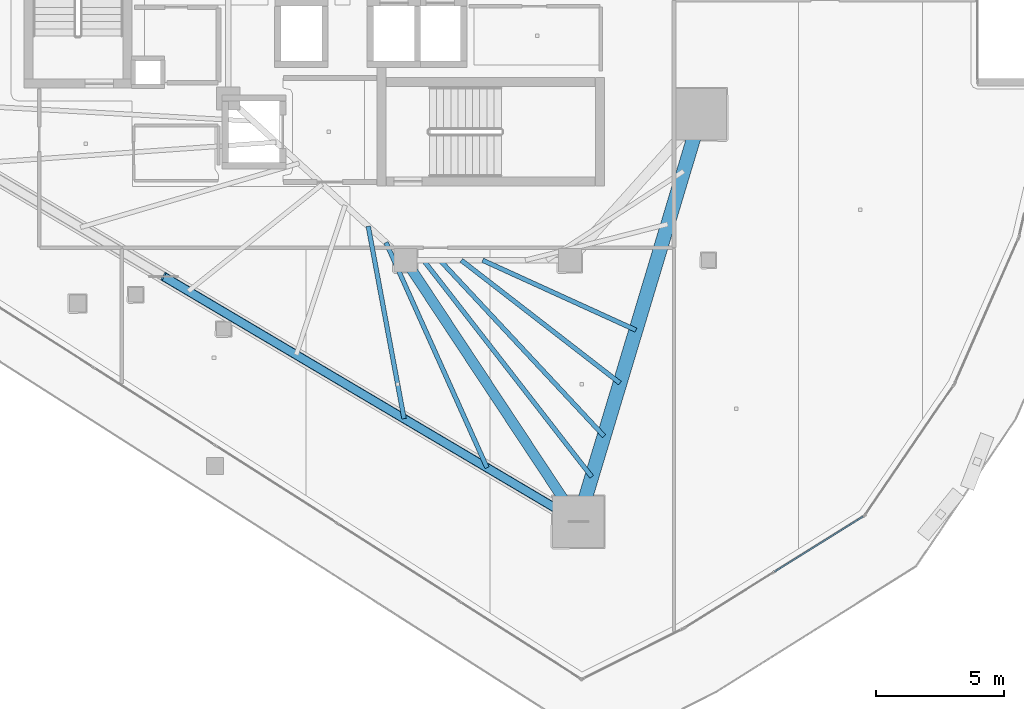
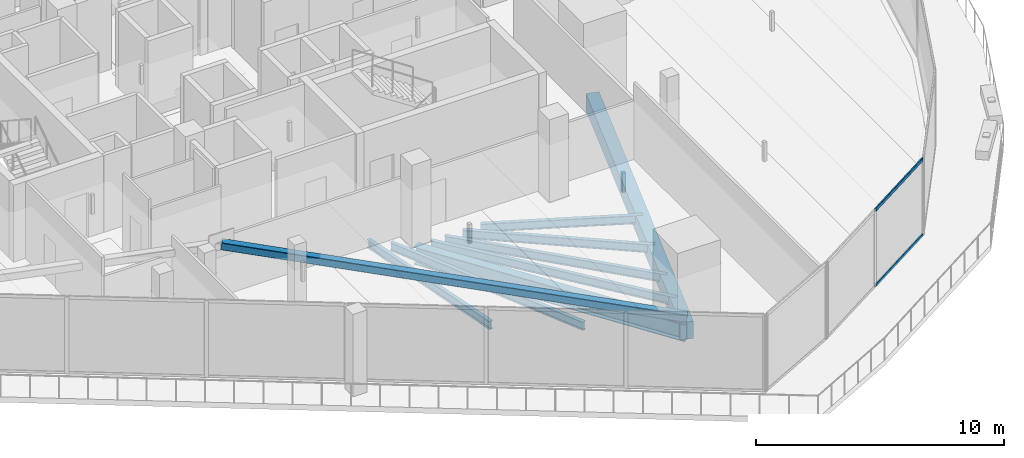
# One storey, part 11 of 39: 8 beams, 3 members, 1 element without a shape of its own.
"""IFC4 building model written with IfcOpenShell, lengths in metres."""

from ifc_helpers import new_model, si_unit, direction, frame, origin, origin_2d, place, context, subcontext, project, spatial, rectangle, hollow_rectangle, i_section, extrude, material, layer, layer_set, material_profile, profile_set, type_object, element, aggregate, save


model = new_model("IFC4")

# Units and contexts
model_context = context("Model", 3, precision=1e-05, world=origin(), true_north=direction((0.0, 1.0)))
body_context = subcontext(model_context, "Body", "Model", "MODEL_VIEW")
ifc_project = project(units=[si_unit("LENGTHUNIT", "METRE"), si_unit("AREAUNIT", "SQUARE_METRE"), si_unit("VOLUMEUNIT", "CUBIC_METRE"), si_unit("PLANEANGLEUNIT", "RADIAN"), si_unit("MASSUNIT", "GRAM", prefix="KILO")], contexts=[model_context])

# Site, building, storey
site_placement = place(None, origin())
site = spatial("IfcSite", under=ifc_project, at=site_placement, CompositionType="ELEMENT")
building_placement = place(site_placement, origin())
building = spatial("IfcBuilding", under=site, at=building_placement, Name="Qorvath Tower", CompositionType="ELEMENT")
storey_placement = place(building_placement, frame((0.0, 0.0, 201.0)))
storey = spatial("IfcBuildingStorey", under=building, at=storey_placement, Name="L46", CompositionType="ELEMENT", Elevation=201.0)

# Beams
ifc_material_1 = material(Name="Steel ASTM A992 Grade 50", Category="steel")
ifc_material_profile_1 = material_profile(ifc_material_1, i_section(OverallWidth=0.39892578125, OverallDepth=0.85498046875, WebThickness=0.018310546875, FlangeThickness=0.029296875, FilletRadius=0.02001953125, at=origin_2d()), Name="W33x201")
ifc_profile_set_1 = profile_set([ifc_material_profile_1], Name="Steel ASTM A992 Grade 50")
beam_type_1 = type_object("IfcBeamType", Name="BM-FG2", PredefinedType="BEAM", material=ifc_profile_set_1)
beam_1_placement = place(storey_placement, frame((-23.60009765625, -11.449951171875, -0.697509765625), z_axis=(0.551500517741, -0.834174549439, 0.0), x_axis=(0.834174549439, 0.551500517741, 0.0)))
element("IfcBeam", 1, at=beam_1_placement, inside=storey, type_object=beam_type_1, Name="Radial Floor Girder CC4-MC3 L46", PredefinedType="BEAM", context=body_context, shape_type="SweptSolid", body=[
    extrude(i_section(OverallWidth=0.39892578125, OverallDepth=0.85498046875, WebThickness=0.018310546875, FlangeThickness=0.029296875, FilletRadius=0.02001953125, at=origin_2d()), origin(), (0.0, 0.0, 1.0), 12.200439453125),
])
ifc_material_2 = material(Name="Steel ASTM A992 Grade 50", Category="steel")
ifc_material_profile_2 = material_profile(ifc_material_2, i_section(OverallWidth=0.177978515625, OverallDepth=0.406005859375, WebThickness=0.0078125, FlangeThickness=0.0126953125, FilletRadius=0.010986328125, at=origin_2d()), Name="W16x40")
ifc_profile_set_2 = profile_set([ifc_material_profile_2], Name="Steel ASTM A992 Grade 50")
beam_type_2 = type_object("IfcBeamType", Name="BM-FJ3", PredefinedType="JOIST", material=ifc_profile_set_2)
beam_2_placement = place(storey_placement, frame((-20.592041015625, -11.449951171875, -0.472900390625), z_axis=(0.909945081179, -0.414728765868, 0.0), x_axis=(0.414728765868, 0.909945081179, 0.0)))
element("IfcBeam", 2, at=beam_2_placement, inside=storey, type_object=beam_type_2, Name="Composite Floor Joist SE4 L46", PredefinedType="JOIST", context=body_context, shape_type="SweptSolid", body=[
    extrude(i_section(OverallWidth=0.177978515625, OverallDepth=0.406005859375, WebThickness=0.0078125, FlangeThickness=0.0126953125, FilletRadius=0.010986328125, at=origin_2d()), origin(), (0.0, 0.0, 1.0), 6.554931640625),
])
beam_3_placement = place(storey_placement, frame((-21.424072265625, -11.449951171875, -0.472900390625), z_axis=(0.790693445503, -0.612212279555, 0.0), x_axis=(0.612212279555, 0.790693445503, 0.0)))
element("IfcBeam", 3, at=beam_3_placement, inside=storey, type_object=beam_type_2, Name="Composite Floor Joist SE5 L46", PredefinedType="JOIST", context=body_context, shape_type="SweptSolid", body=[
    extrude(i_section(OverallWidth=0.177978515625, OverallDepth=0.406005859375, WebThickness=0.0078125, FlangeThickness=0.0126953125, FilletRadius=0.010986328125, at=origin_2d()), origin(), (0.0, 0.0, 1.0), 7.810546875),
])
beam_4_placement = place(storey_placement, frame((-22.256103515625, -11.449951171875, -0.472900390625), z_axis=(0.682249490937, -0.731119437654, 0.0), x_axis=(0.731119437654, 0.682249490937, 0.0)))
element("IfcBeam", 4, at=beam_4_placement, inside=storey, type_object=beam_type_2, Name="Composite Floor Joist SE6 L46", PredefinedType="JOIST", context=body_context, shape_type="SweptSolid", body=[
    extrude(i_section(OverallWidth=0.177978515625, OverallDepth=0.406005859375, WebThickness=0.0078125, FlangeThickness=0.0126953125, FilletRadius=0.010986328125, at=origin_2d()), origin(), (0.0, 0.0, 1.0), 9.362060546875),
])
beam_5_placement = place(storey_placement, frame((-22.89599609375, -11.449951171875, -0.472900390625), z_axis=(0.61345131907, -0.789732536452, 0.0), x_axis=(0.789732536452, 0.61345131907, 0.0)))
element("IfcBeam", 5, at=beam_5_placement, inside=storey, type_object=beam_type_2, Name="Composite Floor Joist SE7 L46", PredefinedType="JOIST", context=body_context, shape_type="SweptSolid", body=[
    extrude(i_section(OverallWidth=0.177978515625, OverallDepth=0.406005859375, WebThickness=0.0078125, FlangeThickness=0.0126953125, FilletRadius=0.010986328125, at=origin_2d()), origin(), (0.0, 0.0, 1.0), 10.676513671875),
])
beam_6_placement = place(storey_placement, frame((-25.049072265625, -10.126953125, -0.472900390625), z_axis=(0.183026775988, -0.983107928598, 0.0), x_axis=(0.983107928598, 0.183026775988, 0.0)))
element("IfcBeam", 6, at=beam_6_placement, inside=storey, type_object=beam_type_2, Name="Composite Floor Joist SW6 L46", PredefinedType="JOIST", context=body_context, shape_type="SweptSolid", body=[
    extrude(i_section(OverallWidth=0.177978515625, OverallDepth=0.406005859375, WebThickness=0.0078125, FlangeThickness=0.0126953125, FilletRadius=0.010986328125, at=origin_2d()), origin(), (0.0, 0.0, 1.0), 7.617919921875),
])
beam_7_placement = place(storey_placement, frame((-24.35888671875, -10.757080078125, -0.472900390625), z_axis=(0.409327209141, -0.912387656568, 0.0), x_axis=(0.912387656568, 0.409327209141, 0.0)))
element("IfcBeam", 7, at=beam_7_placement, inside=storey, type_object=beam_type_2, Name="Composite Floor Joist SW7 L46", PredefinedType="JOIST", context=body_context, shape_type="SweptSolid", body=[
    extrude(i_section(OverallWidth=0.177978515625, OverallDepth=0.406005859375, WebThickness=0.0078125, FlangeThickness=0.0126953125, FilletRadius=0.010986328125, at=origin_2d()), origin(), (0.0, 0.0, 1.0), 9.611083984375),
])
ifc_material_3 = material(Name="Concrete C50/60", Category="concrete")
ifc_material_profile_3 = material_profile(ifc_material_3, rectangle(XDim=0.550048828125, YDim=0.85009765625, at=origin_2d()), Name="RCB 850x550")
ifc_profile_set_3 = profile_set([ifc_material_profile_3], Name="Concrete C50/60")
beam_type_3 = type_object("IfcBeamType", Name="BM-RCB2", PredefinedType="SPANDREL", material=ifc_profile_set_3)
beam_8_placement = place(storey_placement, frame((-16.87158203125, -21.627197265625, -0.695068359375), z_axis=(0.28812763802, 0.957592013443, 0.0), x_axis=(-0.957592013443, 0.28812763802, 0.0)))
element("IfcBeam", 8, at=beam_8_placement, inside=storey, type_object=beam_type_3, Name="Perimeter Loggia Frame Beam MC3-MC4 L46", PredefinedType="SPANDREL", context=body_context, shape_type="SweptSolid", body=[
    extrude(rectangle(XDim=0.550048828125, YDim=0.85009765625, at=origin_2d()), origin(), (0.0, 0.0, 1.0), 16.572265625),
])

# Curtain wall, members
ifc_material_4 = material(Name="Anodised aluminium and triple low-E glass", Category="aluminium")
ifc_layer = layer(ifc_material_4, 0.179931640625)
ifc_layer_set = layer_set([ifc_layer], Name="CW-SYS-3")
curtain_wall_type = type_object("IfcCurtainWallType", Name="CW-SYS-3", PredefinedType="NOTDEFINED", material=ifc_layer_set)
curtain_wall_placement = place(storey_placement, origin())
curtain_wall = element("IfcCurtainWall", 9, at=curtain_wall_placement, inside=storey, type_object=curtain_wall_type, Name="Curtain Wall CW-3 CW-T-L46-4.1", PredefinedType="NOTDEFINED")
ifc_material_5 = material(Name="Anodised aluminium 6063-T6", Category="aluminium")
ifc_material_profile_4 = material_profile(ifc_material_5, hollow_rectangle(XDim=0.06494140625, YDim=0.159912109375, WallThickness=0.00341796875, InnerFilletRadius=0.00341796875, OuterFilletRadius=0.007080078125, at=origin_2d()), Name="CWT 160x65")
ifc_profile_set_4 = profile_set([ifc_material_profile_4], Name="Anodised aluminium 6063-T6")
member_type_1 = type_object("IfcMemberType", Name="CWT-160", PredefinedType="USERDEFINED", material=ifc_profile_set_4)
member_1_placement = place(storey_placement, frame((-9.225830078125, -23.573486328125, 0.032470703125), z_axis=(0.848485179469, 0.529219141964, 0.0), x_axis=(-0.529219141964, 0.848485179469, 0.0)))
member_1 = element("IfcMember", 10, at=member_1_placement, type_object=member_type_1, Name="CW-3 transom 2.1", ObjectType="TRANSOM", PredefinedType="USERDEFINED", context=body_context, shape_type="SweptSolid", body=[
    extrude(hollow_rectangle(XDim=0.06494140625, YDim=0.159912109375, WallThickness=0.00341796875, InnerFilletRadius=0.00341796875, OuterFilletRadius=0.007080078125, at=origin_2d()), origin(), (0.0, 0.0, 1.0), 4.0537109375),
])
member_2_placement = place(storey_placement, frame((-9.225830078125, -23.573486328125, 3.74755859375), z_axis=(0.848485179469, 0.529219141964, 0.0), x_axis=(-0.529219141964, 0.848485179469, 0.0)))
member_2 = element("IfcMember", 11, at=member_2_placement, type_object=member_type_1, Name="CW-3 transom 2.2", ObjectType="TRANSOM", PredefinedType="USERDEFINED", context=body_context, shape_type="SweptSolid", body=[
    extrude(hollow_rectangle(XDim=0.06494140625, YDim=0.159912109375, WallThickness=0.00341796875, InnerFilletRadius=0.00341796875, OuterFilletRadius=0.007080078125, at=origin_2d()), origin(), (0.0, 0.0, 1.0), 4.0537109375),
])
aggregate(curtain_wall, [member_1, member_2])

# Member
ifc_material_6 = material(Name="Steel ASTM A500 Grade C", Category="steel")
ifc_material_profile_5 = material_profile(ifc_material_6, hollow_rectangle(XDim=0.355712890625, YDim=0.355712890625, WallThickness=0.015869140625, InnerFilletRadius=0.015869140625, OuterFilletRadius=0.03173828125, at=origin_2d()), Name="HSS 356x356x16")
ifc_profile_set_5 = profile_set([ifc_material_profile_5], Name="Steel ASTM A500 Grade C")
member_type_2 = type_object("IfcMemberType", Name="MEM-MB2", PredefinedType="BRACE", material=ifc_profile_set_5)
member_3_placement = place(storey_placement, frame((-16.87158203125, -21.627197265625, 0.0), z_axis=(-0.846741468388, 0.500689925738, 0.179829040973), x_axis=(-0.508987501872, -0.860773909304, 0.0)))
element("IfcMember", 12, at=member_3_placement, inside=storey, type_object=member_type_2, Name="Perimeter Chevron Brace L46-2B", PredefinedType="BRACE", context=body_context, shape_type="SweptSolid", body=[
    extrude(hollow_rectangle(XDim=0.355712890625, YDim=0.355712890625, WallThickness=0.015869140625, InnerFilletRadius=0.015869140625, OuterFilletRadius=0.03173828125, at=origin_2d()), origin(), (0.0, 0.0, 1.0), 19.0732421875),
])

save(model, "model.ifc")
